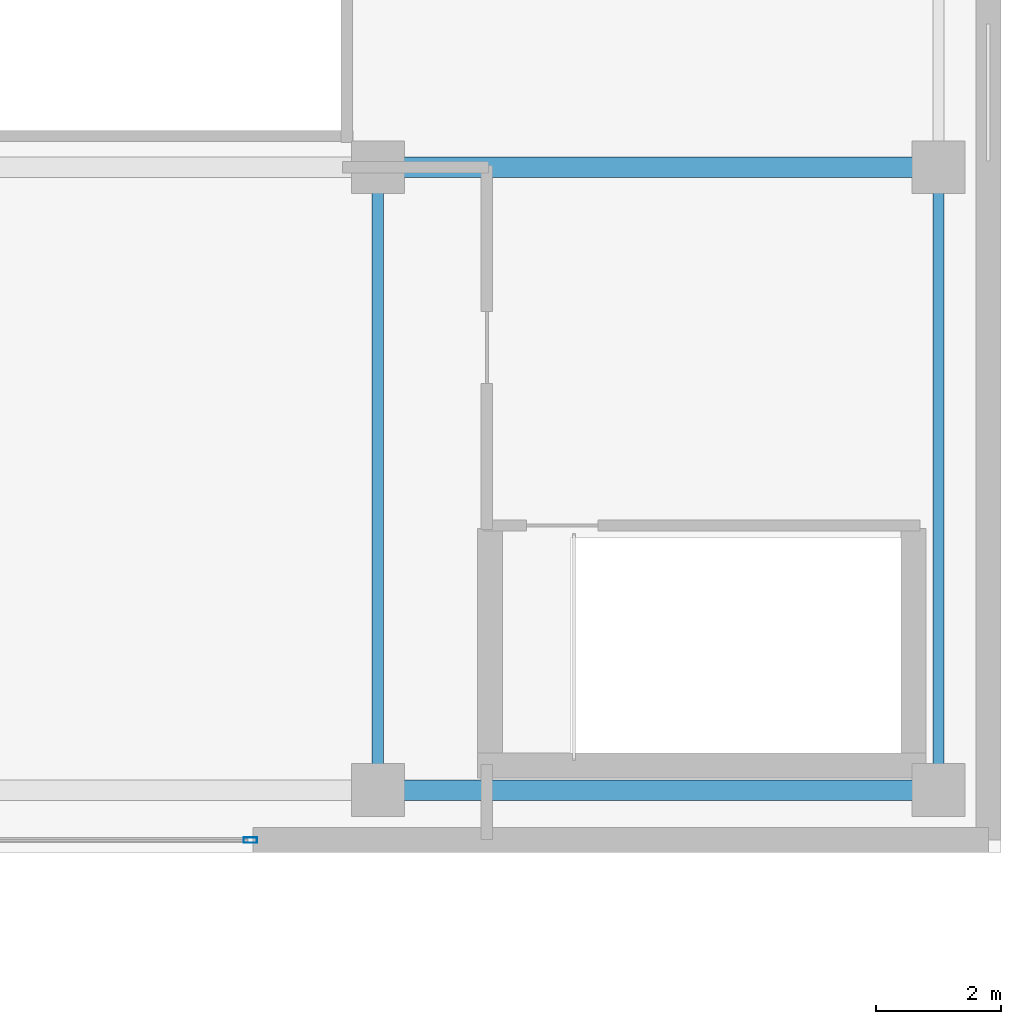
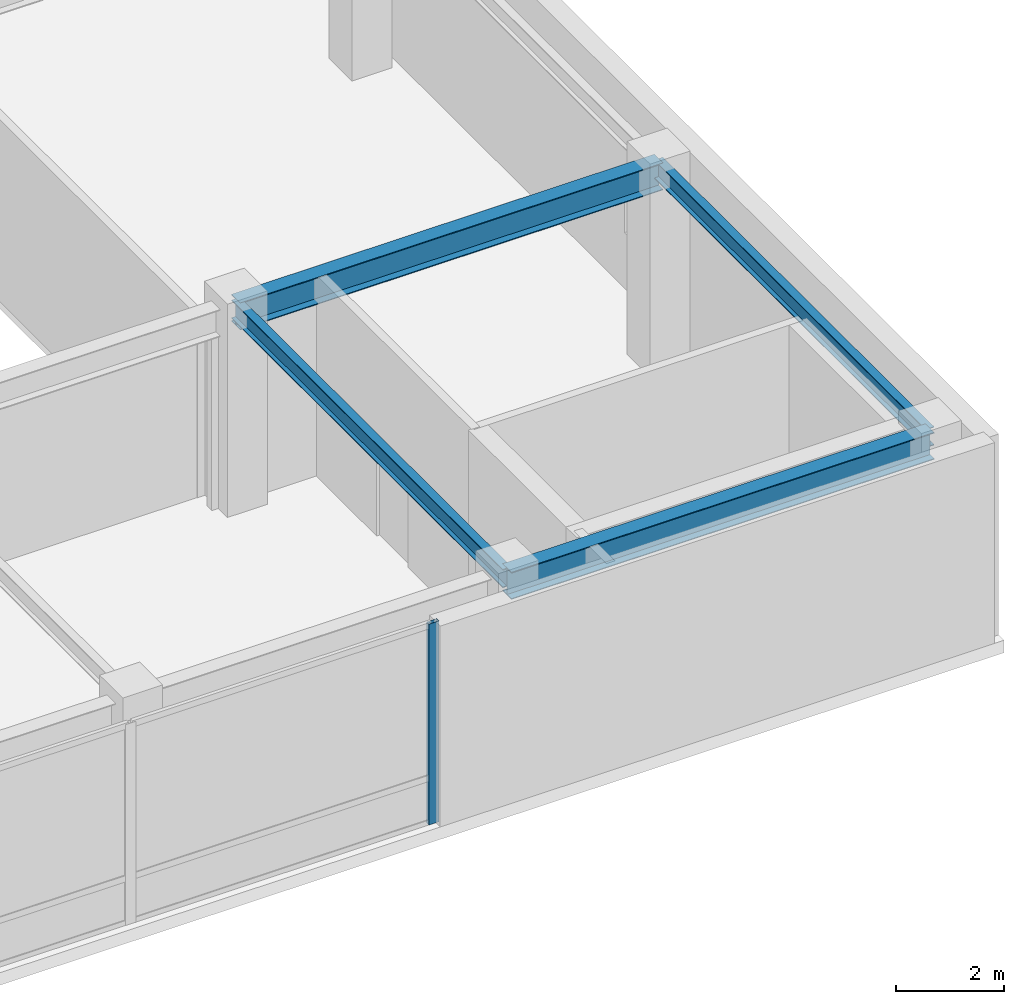
# One storey, part 23 of 36: 4 beams, 1 member, 1 element without a shape of its own.
"""IFC4 building model written with IfcOpenShell, lengths in metres."""

import ifcopenshell
import ifcopenshell.guid

model = None  # the IFC model being written
_history = None  # IfcOwnerHistory: only IFC2X3 demands one
_inside = {}  # id of a spatial element -> (the spatial element, [elements in it])
_under = {}  # id of a project, library or spatial element -> (it, [spatial elements below it])
_declared = {}  # id of a project -> (the project, [libraries it declares])
_typed = {}  # id of a type object -> (the type object, [elements of that type])
_made_of = {}  # id of a material, layer set ... -> (it, [elements and type objects made of it])


def new_model(schema):
    """Start an empty IFC model of exactly this schema.

    Asked for "IFC4X3", IfcOpenShell would pick the latest addendum, in which some entities
    have other attributes; the version numbers below select the first issue.
    IFC2X3 requires an IfcOwnerHistory on every rooted entity: one is made here for all.
    """
    global model, _history
    if schema == "IFC4X3":
        model = ifcopenshell.file(schema_version=(4, 3, 0, 0))
    else:
        model = ifcopenshell.file(schema=schema)
    _inside.clear()
    _under.clear()
    _declared.clear()
    _typed.clear()
    _made_of.clear()
    _history = None
    if model.schema == "IFC2X3":
        org = make("IfcOrganization", Name="unknown")
        user = make(
            "IfcPersonAndOrganization",
            ThePerson=make("IfcPerson", FamilyName="unknown"),
            TheOrganization=org,
        )
        app = make(
            "IfcApplication",
            ApplicationDeveloper=org,
            Version="unknown",
            ApplicationFullName="unknown",
            ApplicationIdentifier="unknown",
        )
        _history = make(
            "IfcOwnerHistory",
            OwningUser=user,
            OwningApplication=app,
            ChangeAction="ADDED",
            CreationDate=0,
        )
    return model


def make(cls, **values):
    """One entity of the class cls with the attributes given. An attribute that is None is left unset."""
    return model.create_entity(
        cls, **{name: value for name, value in values.items() if value is not None}
    )


def rooted(cls, **values):
    """An entity with a GlobalId (a new one), such as an element, a storey or a relation."""
    return make(cls, GlobalId=ifcopenshell.guid.new(), OwnerHistory=_history, **values)


def si_unit(unit_type, name, prefix=None):
    """IfcSIUnit, for example si_unit("LENGTHUNIT", "METRE", prefix="MILLI")."""
    return make("IfcSIUnit", UnitType=unit_type, Prefix=prefix, Name=name)


def assignment(units):
    """IfcUnitAssignment: the units of a project."""
    return None if units is None else make("IfcUnitAssignment", Units=units)


def point(xyz):
    """IfcCartesianPoint."""
    return None if xyz is None else make("IfcCartesianPoint", Coordinates=xyz)


def direction(xyz):
    """IfcDirection."""
    return None if xyz is None else make("IfcDirection", DirectionRatios=xyz)


def frame(location, z_axis=None, x_axis=None):
    """IfcAxis2Placement3D, a coordinate frame: its origin and axes. An axis left out is left unset."""
    return make(
        "IfcAxis2Placement3D",
        Location=point(location),
        Axis=direction(z_axis),
        RefDirection=direction(x_axis),
    )


def frame_2d(location, x_axis=None):
    """IfcAxis2Placement2D, a coordinate frame in the plane: its origin and x axis."""
    return make(
        "IfcAxis2Placement2D", Location=point(location), RefDirection=direction(x_axis)
    )


def origin():
    """The frame at (0, 0, 0) with its axes left unset."""
    return frame((0.0, 0.0, 0.0))


def origin_2d():
    """The frame at (0, 0) in the plane with its x axis left unset."""
    return frame_2d((0.0, 0.0))


def place(relative_to, where):
    """IfcLocalPlacement: puts the frame where relative to a parent placement (None: the world)."""
    return make(
        "IfcLocalPlacement", PlacementRelTo=relative_to, RelativePlacement=where
    )


def context(
    kind, dimensions, precision=None, world=None, true_north=None, identifier=None
):
    """IfcGeometricRepresentationContext, for example the 3D "Model" context."""
    return make(
        "IfcGeometricRepresentationContext",
        ContextIdentifier=identifier,
        ContextType=kind,
        CoordinateSpaceDimension=dimensions,
        Precision=precision,
        WorldCoordinateSystem=world,
        TrueNorth=true_north,
    )


def subcontext(parent, identifier, kind, view, scale=None):
    """IfcGeometricRepresentationSubContext, for example "Body" below "Model"."""
    return make(
        "IfcGeometricRepresentationSubContext",
        ContextIdentifier=identifier,
        ContextType=kind,
        ParentContext=parent,
        TargetScale=scale,
        TargetView=view,
    )


def project(units=None, contexts=None):
    """IfcProject with its units and contexts."""
    return rooted(
        "IfcProject",
        Name="project",
        RepresentationContexts=contexts,
        UnitsInContext=assignment(units),
    )


def spatial(cls, under=None, at=None, **own):
    """A site, building, storey or space (cls), placed at a placement, below another one or the project."""
    s = rooted(cls, ObjectPlacement=at, **own)
    if under is not None:
        _under.setdefault(under.id(), (under, []))[1].append(s)
    return s


def profile(cls, at=None, kind="AREA", **sizes):
    """A parametric profile (cls). Its sizes go by their IFC names, for example OverallWidth=200.0."""
    return make(cls, ProfileType=kind, Position=at, **sizes)


def hollow_rectangle(**sizes):
    """IfcRectangleHollowProfileDef."""
    return profile("IfcRectangleHollowProfileDef", **sizes)


def i_section(**sizes):
    """IfcIShapeProfileDef."""
    return profile("IfcIShapeProfileDef", **sizes)


def extrude(swept, where, along, depth):
    """IfcExtrudedAreaSolid: the profile swept, set in the frame where, extruded along a direction by depth."""
    return make(
        "IfcExtrudedAreaSolid",
        SweptArea=swept,
        Position=where,
        ExtrudedDirection=direction(along),
        Depth=depth,
    )


def shape(context_of_items, identifier, shape_type, items):
    """IfcShapeRepresentation: the items that make up one representation, for example the "Body"."""
    return make(
        "IfcShapeRepresentation",
        ContextOfItems=context_of_items,
        RepresentationIdentifier=identifier,
        RepresentationType=shape_type,
        Items=items,
    )


def material(Name=None, Category=None):
    """IfcMaterial."""
    return make("IfcMaterial", Name=Name, Category=Category)


def layer(
    of_material, thickness, ventilated=None, Name=None, Category=None, Priority=None
):
    """IfcMaterialLayer: one layer of a wall or slab, of a material (None: an air gap)."""
    return make(
        "IfcMaterialLayer",
        Material=of_material,
        LayerThickness=thickness,
        IsVentilated=ventilated,
        Name=Name,
        Category=Category,
        Priority=Priority,
    )


def layer_set(layers, Name=None):
    """IfcMaterialLayerSet."""
    return make("IfcMaterialLayerSet", MaterialLayers=layers, LayerSetName=Name)


def material_profile(
    of_material, cross_section, Name=None, Category=None, Priority=None
):
    """IfcMaterialProfile: a cross section and its material."""
    return make(
        "IfcMaterialProfile",
        Name=Name,
        Material=of_material,
        Profile=cross_section,
        Priority=Priority,
        Category=Category,
    )


def profile_set(profiles, Name=None, composite=None):
    """IfcMaterialProfileSet."""
    return make(
        "IfcMaterialProfileSet",
        Name=Name,
        MaterialProfiles=profiles,
        CompositeProfile=composite,
    )


def made_of(thing, what):
    """Note that an element or type object is made of a material, layer set ...; save() writes the relation."""
    if what is not None:
        _made_of.setdefault(what.id(), (what, []))[1].append(thing)
    return thing


def type_object(cls, material=None, **own):
    """A type object (cls), such as IfcWallType, which elements share."""
    return made_of(rooted(cls, **own), material)


def element(
    cls,
    number,
    at=None,
    inside=None,
    cuts=None,
    type_object=None,
    material=None,
    context=None,
    identifier="Body",
    shape_type=None,
    held_by="IfcProductDefinitionShape",
    body=None,
    shapes=None,
    **own,
):
    """One element of the class cls, such as IfcWall. Its Tag is "e" and its number.

    at: its placement. inside: the storey or other place that contains it. cuts: it is an
    opening in that element (IfcRelVoidsElement). A single representation is given by context,
    identifier, shape_type and body (its items); several are given by shapes. held_by: the class
    of the entity that holds the representations. save() writes the other relations.
    """
    e = rooted(cls, Tag="e%d" % number, ObjectPlacement=at, **own)
    if body is not None:
        shapes = [shape(context, identifier, shape_type, body)]
    if shapes is not None:
        e.Representation = make(held_by, Representations=shapes)
    if inside is not None:
        _inside.setdefault(inside.id(), (inside, []))[1].append(e)
    if cuts is not None:
        rooted(
            "IfcRelVoidsElement", RelatingBuildingElement=cuts, RelatedOpeningElement=e
        )
    if type_object is not None:
        _typed.setdefault(type_object.id(), (type_object, []))[1].append(e)
    return made_of(e, material)


def aggregate(whole, parts):
    """IfcRelAggregates: a whole, such as a stair, and the parts it consists of."""
    return rooted("IfcRelAggregates", RelatingObject=whole, RelatedObjects=parts)


def save(model, path):
    """Write the relations noted so far, then the file.

    IfcRelAggregates (storeys below a building ...), IfcRelContainedInSpatialStructure (elements
    in a storey), IfcRelDefinesByType, IfcRelAssociatesMaterial and IfcRelDeclares: one each for
    every whole, place, type object, material and project.
    """
    for whole, parts in _under.values():
        aggregate(whole, parts)
    for where, things in _inside.values():
        rooted(
            "IfcRelContainedInSpatialStructure",
            RelatedElements=things,
            RelatingStructure=where,
        )
    for kind, things in _typed.values():
        rooted("IfcRelDefinesByType", RelatedObjects=things, RelatingType=kind)
    for what, things in _made_of.values():
        rooted("IfcRelAssociatesMaterial", RelatedObjects=things, RelatingMaterial=what)
    for by, libraries in _declared.values():
        rooted("IfcRelDeclares", RelatingContext=by, RelatedDefinitions=libraries)
    model.write(path)


model = new_model("IFC4")

# Units and contexts
model_context = context("Model", 3, precision=1e-05, world=origin(), true_north=direction((0.0, 1.0)))
body_context = subcontext(model_context, "Body", "Model", "MODEL_VIEW")
ifc_project = project(units=[si_unit("LENGTHUNIT", "METRE"), si_unit("AREAUNIT", "SQUARE_METRE"), si_unit("VOLUMEUNIT", "CUBIC_METRE"), si_unit("PLANEANGLEUNIT", "RADIAN"), si_unit("MASSUNIT", "GRAM", prefix="KILO")], contexts=[model_context])

# Site, building, storey
site_placement = place(None, origin())
site = spatial("IfcSite", under=ifc_project, at=site_placement, CompositionType="ELEMENT")
building_placement = place(site_placement, origin())
building = spatial("IfcBuilding", under=site, at=building_placement, Name="Kazevale Care Tower and Concert Hall", CompositionType="ELEMENT")
storey_placement = place(building_placement, frame((0.0, 0.0, 14.39990234375)))
storey = spatial("IfcBuildingStorey", under=building, at=storey_placement, Name="L03", CompositionType="ELEMENT", Elevation=14.39990234375)

# Curtain wall, member
ifc_material_1 = material(Name="Aluminium 6063-T6 and Low-E Glass", Category="aluminium")
ifc_layer = layer(ifc_material_1, 0.179931640625)
ifc_layer_set = layer_set([ifc_layer], Name="Aluminium 6063-T6 and Low-E Glass")
curtain_wall_type = type_object("IfcCurtainWallType", Name="Concert Hall Foyer Storefront Curtain Wall CW-6", PredefinedType="NOTDEFINED", material=ifc_layer_set)
curtain_wall_placement = place(storey_placement, origin())
curtain_wall = element("IfcCurtainWall", 1, at=curtain_wall_placement, inside=storey, type_object=curtain_wall_type, Name="cw:L03:hall:S3", PredefinedType="NOTDEFINED")
ifc_material_2 = material(Name="Aluminium 6063-T6", Category="aluminium")
ifc_material_profile_1 = material_profile(ifc_material_2, hollow_rectangle(XDim=0.090087890625, YDim=0.219970703125, WallThickness=0.0048828125, at=origin_2d()), Name="ALU90x220x5")
ifc_profile_set_1 = profile_set([ifc_material_profile_1], Name="Aluminium 6063-T6")
member_type = type_object("IfcMemberType", Name="CW-6 Mullion ALU90x220x5", PredefinedType="MULLION", material=ifc_profile_set_1)
member_placement = place(storey_placement, frame((133.955078125, 14.199951171875, 0.0), z_axis=(0.0, 0.0, 1.0), x_axis=(0.0, 1.0, 0.0)))
member = element("IfcMember", 2, at=member_placement, type_object=member_type, Name="CW-6 mullion 3", PredefinedType="MULLION", context=body_context, shape_type="SweptSolid", body=[
    extrude(hollow_rectangle(XDim=0.090087890625, YDim=0.219970703125, WallThickness=0.0048828125, at=origin_2d()), origin(), (0.0, 0.0, 1.0), 4.52001953125),
])
aggregate(curtain_wall, [member])

# Beams
ifc_material_3 = material(Name="Steel ASTM A572 Gr 50", Category="steel")
ifc_material_profile_2 = material_profile(ifc_material_3, i_section(OverallWidth=0.323974609375, OverallDepth=0.611083984375, WebThickness=0.0126953125, FlangeThickness=0.01904296875, at=origin_2d()), Name="W610x155")
ifc_profile_set_2 = profile_set([ifc_material_profile_2], Name="Steel ASTM A572 Gr 50")
beam_type_1 = type_object("IfcBeamType", Name="Concert Hall Frame Girder W610x155", PredefinedType="BEAM", material=ifc_profile_set_2)
for number, where, z_axis, x_axis, name in (
    (3, (136.0, 15.0, 4.214599609375), (1.0, 0.0, 0.0), (0.0, 1.0, 0.0), "beam:L03:hx:136_15"),
    (4, (136.0, 25.0, 4.214599609375), (1.0, 0.0, 0.0), (0.0, 1.0, 0.0), "beam:L03:hx:136_25"),
):
    element("IfcBeam", number, at=place(storey_placement, frame(where, z_axis=z_axis, x_axis=x_axis)), inside=storey, type_object=beam_type_1, Name=name, PredefinedType="BEAM", context=body_context, shape_type="SweptSolid", body=[
        extrude(i_section(OverallWidth=0.323974609375, OverallDepth=0.611083984375, WebThickness=0.0126953125, FlangeThickness=0.01904296875, at=origin_2d()), origin(), (0.0, 0.0, 1.0), 9.0),
    ])
ifc_material_profile_3 = material_profile(ifc_material_3, i_section(OverallWidth=0.180908203125, OverallDepth=0.4169921875, WebThickness=0.010986328125, FlangeThickness=0.018310546875, at=origin_2d()), Name="W410x85")
ifc_profile_set_3 = profile_set([ifc_material_profile_3], Name="Steel ASTM A572 Gr 50")
beam_type_2 = type_object("IfcBeamType", Name="Concert Hall Secondary Beam W410x85", PredefinedType="BEAM", material=ifc_profile_set_3)
for number, where, z_axis, x_axis, name in (
    (5, (136.0, 15.0, 4.3115234375), (0.0, 1.0, 0.0), (-1.0, 0.0, 0.0), "beam:L03:hy:136_15"),
    (6, (145.0, 15.0, 4.3115234375), (0.0, 1.0, 0.0), (-1.0, 0.0, 0.0), "beam:L03:hy:145_15"),
):
    element("IfcBeam", number, at=place(storey_placement, frame(where, z_axis=z_axis, x_axis=x_axis)), inside=storey, type_object=beam_type_2, Name=name, PredefinedType="BEAM", context=body_context, shape_type="SweptSolid", body=[
        extrude(i_section(OverallWidth=0.180908203125, OverallDepth=0.4169921875, WebThickness=0.010986328125, FlangeThickness=0.018310546875, at=origin_2d()), origin(), (0.0, 0.0, 1.0), 10.0),
    ])

save(model, "model.ifc")
